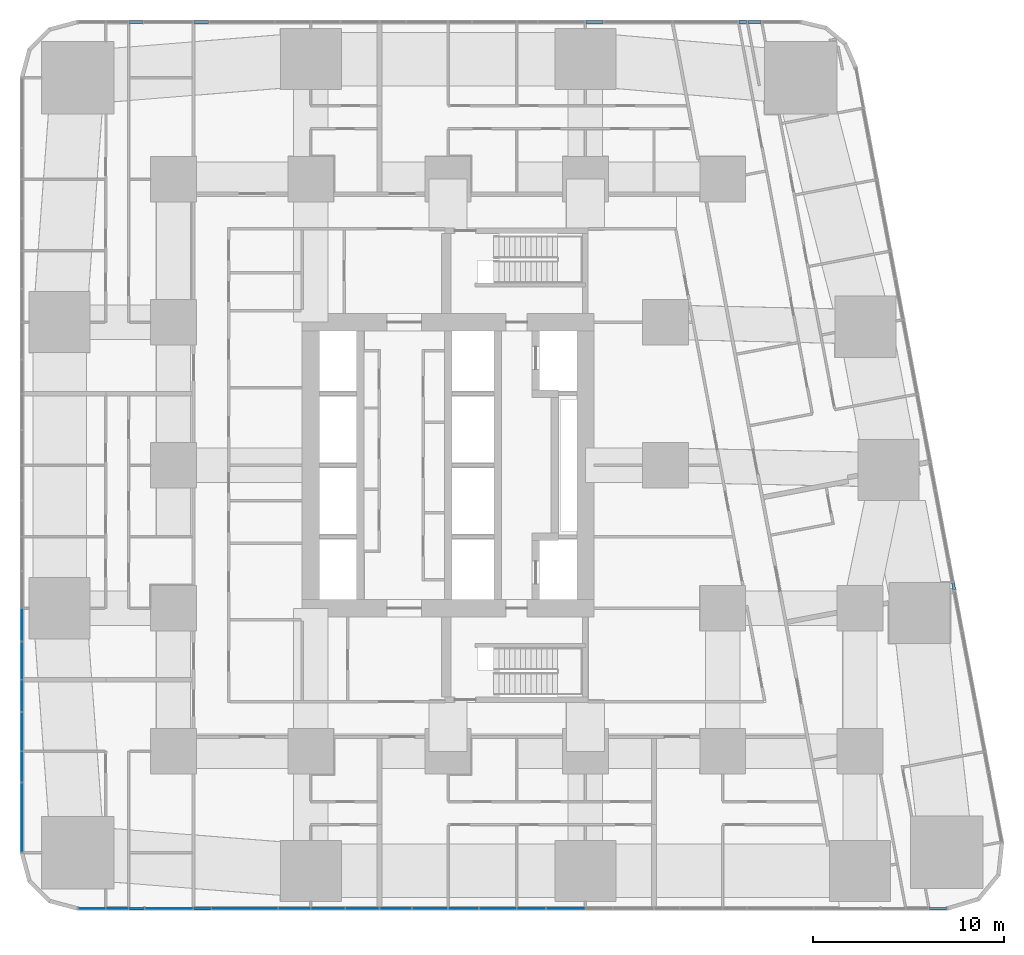
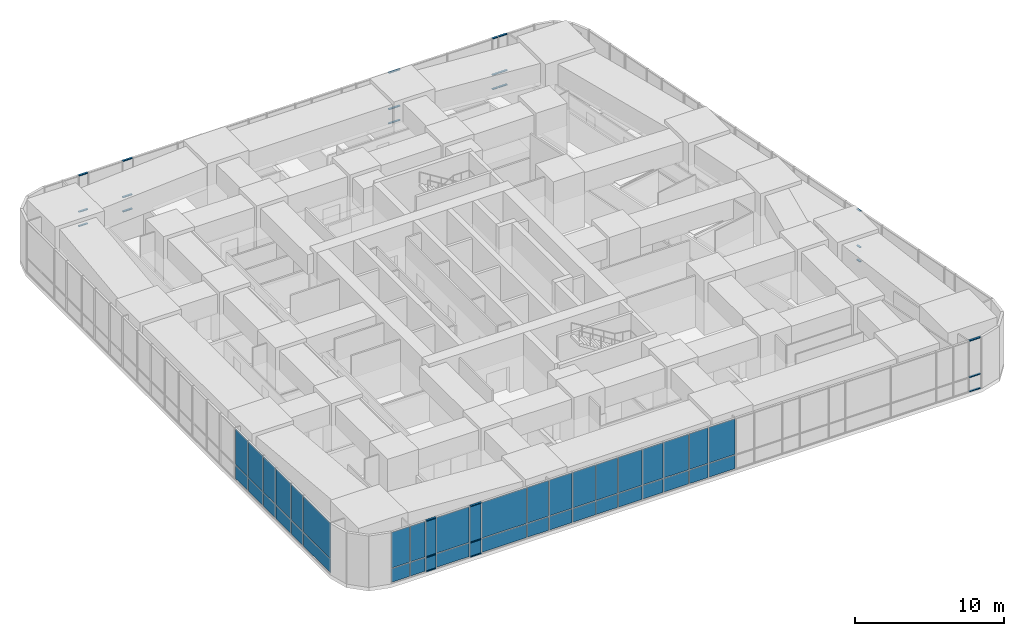
# One storey, part 9 of 23: 42 plates, 27 members, 4 elements without a shape of their own.
"""IFC4 building model written with IfcOpenShell, lengths in metres."""

from ifc_helpers import new_model, si_unit, direction, frame, origin, origin_2d, place, context, subcontext, project, spatial, rectangle, extrude, material, layer, layer_set, material_profile, profile_set, type_object, element, aggregate, save


model = new_model("IFC4")

# Units and contexts
model_context = context("Model", 3, precision=1e-05, world=origin(), true_north=direction((0.0, 1.0)))
body_context = subcontext(model_context, "Body", "Model", "MODEL_VIEW")
ifc_project = project(units=[si_unit("LENGTHUNIT", "METRE"), si_unit("AREAUNIT", "SQUARE_METRE"), si_unit("VOLUMEUNIT", "CUBIC_METRE"), si_unit("PLANEANGLEUNIT", "RADIAN"), si_unit("MASSUNIT", "GRAM", prefix="KILO")], contexts=[model_context])

# Site, building, storey
site_placement = place(None, origin())
site = spatial("IfcSite", under=ifc_project, at=site_placement, CompositionType="ELEMENT")
building_placement = place(site_placement, origin())
building = spatial("IfcBuilding", under=site, at=building_placement, Name="Sheger Commons Tower", CompositionType="ELEMENT")
storey_placement = place(building_placement, frame((0.0, 0.0, 5.60009765625)))
storey = spatial("IfcBuildingStorey", under=building, at=storey_placement, Name="L01", CompositionType="ELEMENT", Elevation=5.60009765625)

# Curtain wall, members
ifc_material_1 = material(Name="Black aluminium curtain wall, dark tinted glazing", Category="aluminium")
curtain_wall_type = type_object("IfcCurtainWallType", Name="CURTAIN WALL CW2 HEALTH CENTRE", PredefinedType="USERDEFINED", material=ifc_material_1)
curtain_wall_1_placement = place(storey_placement, origin())
curtain_wall_1 = element("IfcCurtainWall", 1, at=curtain_wall_1_placement, inside=storey, type_object=curtain_wall_type, Name="Curtain Wall Cw2 Health Centre S1 L01", ObjectType="STICK CURTAIN WALL", PredefinedType="USERDEFINED")
ifc_material_2 = material(Name="Black anodised aluminium", Category="aluminium")
ifc_material_profile = material_profile(ifc_material_2, rectangle(XDim=0.14990234375, YDim=0.06494140625, at=origin_2d()), Name="AL 65x150")
ifc_profile_set = profile_set([ifc_material_profile], Name="Black anodised aluminium")
member_type = type_object("IfcMemberType", Name="TRANSOM AL 65x150", PredefinedType="USERDEFINED", material=ifc_profile_set)
member_1_placement = place(storey_placement, frame((4.882568359375, -0.75, 0.032470703125), z_axis=(1.0, 0.0, 0.0), x_axis=(0.0, 1.0, 0.0)))
member_1 = element("IfcMember", 2, at=member_1_placement, type_object=member_type, Name="CW2 transom 3.1", ObjectType="TRANSOM", PredefinedType="USERDEFINED", context=body_context, shape_type="SweptSolid", body=[
    extrude(rectangle(XDim=0.14990234375, YDim=0.06494140625, at=origin_2d()), origin(), (0.0, 0.0, 1.0), 0.7578125),
])
member_2_placement = place(storey_placement, frame((4.882568359375, -0.75, 1.199951171875), z_axis=(1.0, 0.0, 0.0), x_axis=(0.0, 1.0, 0.0)))
member_2 = element("IfcMember", 3, at=member_2_placement, type_object=member_type, Name="CW2 transom 3.2", ObjectType="TRANSOM", PredefinedType="USERDEFINED", context=body_context, shape_type="SweptSolid", body=[
    extrude(rectangle(XDim=0.14990234375, YDim=0.06494140625, at=origin_2d()), origin(), (0.0, 0.0, 1.0), 0.7578125),
])
member_3_placement = place(storey_placement, frame((4.882568359375, -0.75, 4.16748046875), z_axis=(1.0, 0.0, 0.0), x_axis=(0.0, 1.0, 0.0)))
member_3 = element("IfcMember", 4, at=member_3_placement, type_object=member_type, Name="CW2 transom 3.3", ObjectType="TRANSOM", PredefinedType="USERDEFINED", context=body_context, shape_type="SweptSolid", body=[
    extrude(rectangle(XDim=0.14990234375, YDim=0.06494140625, at=origin_2d()), origin(), (0.0, 0.0, 1.0), 0.7578125),
])
member_4_placement = place(storey_placement, frame((8.282470703125, -0.75, 0.032470703125), z_axis=(1.0, 0.0, 0.0), x_axis=(0.0, 1.0, 0.0)))
member_4 = element("IfcMember", 5, at=member_4_placement, type_object=member_type, Name="CW2 transom 5.1", ObjectType="TRANSOM", PredefinedType="USERDEFINED", context=body_context, shape_type="SweptSolid", body=[
    extrude(rectangle(XDim=0.14990234375, YDim=0.06494140625, at=origin_2d()), origin(), (0.0, 0.0, 1.0), 0.867919921875),
])
member_5_placement = place(storey_placement, frame((8.282470703125, -0.75, 1.199951171875), z_axis=(1.0, 0.0, 0.0), x_axis=(0.0, 1.0, 0.0)))
member_5 = element("IfcMember", 6, at=member_5_placement, type_object=member_type, Name="CW2 transom 5.2", ObjectType="TRANSOM", PredefinedType="USERDEFINED", context=body_context, shape_type="SweptSolid", body=[
    extrude(rectangle(XDim=0.14990234375, YDim=0.06494140625, at=origin_2d()), origin(), (0.0, 0.0, 1.0), 0.867919921875),
])
member_6_placement = place(storey_placement, frame((8.282470703125, -0.75, 4.16748046875), z_axis=(1.0, 0.0, 0.0), x_axis=(0.0, 1.0, 0.0)))
member_6 = element("IfcMember", 7, at=member_6_placement, type_object=member_type, Name="CW2 transom 5.3", ObjectType="TRANSOM", PredefinedType="USERDEFINED", context=body_context, shape_type="SweptSolid", body=[
    extrude(rectangle(XDim=0.14990234375, YDim=0.06494140625, at=origin_2d()), origin(), (0.0, 0.0, 1.0), 0.867919921875),
])
member_7_placement = place(storey_placement, frame((46.859619140625, -0.75, 0.032470703125), z_axis=(1.0, 0.0, 0.0), x_axis=(0.0, 1.0, 0.0)))
member_7 = element("IfcMember", 8, at=member_7_placement, type_object=member_type, Name="CW2 transom 25.1", ObjectType="TRANSOM", PredefinedType="USERDEFINED", context=body_context, shape_type="SweptSolid", body=[
    extrude(rectangle(XDim=0.14990234375, YDim=0.06494140625, at=origin_2d()), origin(), (0.0, 0.0, 1.0), 0.866455078125),
])
member_8_placement = place(storey_placement, frame((46.859619140625, -0.75, 1.199951171875), z_axis=(1.0, 0.0, 0.0), x_axis=(0.0, 1.0, 0.0)))
member_8 = element("IfcMember", 9, at=member_8_placement, type_object=member_type, Name="CW2 transom 25.2", ObjectType="TRANSOM", PredefinedType="USERDEFINED", context=body_context, shape_type="SweptSolid", body=[
    extrude(rectangle(XDim=0.14990234375, YDim=0.06494140625, at=origin_2d()), origin(), (0.0, 0.0, 1.0), 0.866455078125),
])
member_9_placement = place(storey_placement, frame((46.859619140625, -0.75, 4.16748046875), z_axis=(1.0, 0.0, 0.0), x_axis=(0.0, 1.0, 0.0)))
member_9 = element("IfcMember", 10, at=member_9_placement, type_object=member_type, Name="CW2 transom 25.3", ObjectType="TRANSOM", PredefinedType="USERDEFINED", context=body_context, shape_type="SweptSolid", body=[
    extrude(rectangle(XDim=0.14990234375, YDim=0.06494140625, at=origin_2d()), origin(), (0.0, 0.0, 1.0), 0.866455078125),
])

curtain_wall_2_placement = place(storey_placement, origin())
curtain_wall_2 = element("IfcCurtainWall", 11, at=curtain_wall_2_placement, inside=storey, type_object=curtain_wall_type, Name="Curtain Wall Cw2 Health Centre E1 L01", ObjectType="STICK CURTAIN WALL", PredefinedType="USERDEFINED")
member_10_placement = place(storey_placement, frame((48.1474609375, 15.967041015625, 0.032470703125), z_axis=(-0.185599713846, 0.982625435362, 0.0), x_axis=(-0.982625435362, -0.185599713846, 0.0)))
member_10 = element("IfcMember", 12, at=member_10_placement, type_object=member_type, Name="CW2 transom 6.1", ObjectType="TRANSOM", PredefinedType="USERDEFINED", context=body_context, shape_type="SweptSolid", body=[
    extrude(rectangle(XDim=0.14990234375, YDim=0.06494140625, at=origin_2d()), origin(), (0.0, 0.0, 1.0), 0.370849609375),
])
member_11_placement = place(storey_placement, frame((48.1474609375, 15.967041015625, 1.199951171875), z_axis=(-0.185599713846, 0.982625435362, 0.0), x_axis=(-0.982625435362, -0.185599713846, 0.0)))
member_11 = element("IfcMember", 13, at=member_11_placement, type_object=member_type, Name="CW2 transom 6.2", ObjectType="TRANSOM", PredefinedType="USERDEFINED", context=body_context, shape_type="SweptSolid", body=[
    extrude(rectangle(XDim=0.14990234375, YDim=0.06494140625, at=origin_2d()), origin(), (0.0, 0.0, 1.0), 0.370849609375),
])
member_12_placement = place(storey_placement, frame((48.1474609375, 15.967041015625, 4.16748046875), z_axis=(-0.185599713846, 0.982625435362, 0.0), x_axis=(-0.982625435362, -0.185599713846, 0.0)))
member_12 = element("IfcMember", 14, at=member_12_placement, type_object=member_type, Name="CW2 transom 6.3", ObjectType="TRANSOM", PredefinedType="USERDEFINED", context=body_context, shape_type="SweptSolid", body=[
    extrude(rectangle(XDim=0.14990234375, YDim=0.06494140625, at=origin_2d()), origin(), (0.0, 0.0, 1.0), 0.370849609375),
])
aggregate(curtain_wall_2, [member_10, member_11, member_12])

curtain_wall_3_placement = place(storey_placement, origin())
curtain_wall_3 = element("IfcCurtainWall", 15, at=curtain_wall_3_placement, inside=storey, type_object=curtain_wall_type, Name="Curtain Wall Cw2 Health Centre N1 L01", ObjectType="STICK CURTAIN WALL", PredefinedType="USERDEFINED")
member_13_placement = place(storey_placement, frame((38.011474609375, 45.75, 0.032470703125), z_axis=(-1.0, 0.0, 0.0), x_axis=(0.0, -1.0, 0.0)))
member_13 = element("IfcMember", 16, at=member_13_placement, type_object=member_type, Name="CW2 transom 2.1", ObjectType="TRANSOM", PredefinedType="USERDEFINED", context=body_context, shape_type="SweptSolid", body=[
    extrude(rectangle(XDim=0.14990234375, YDim=0.06494140625, at=origin_2d()), origin(), (0.0, 0.0, 1.0), 0.68701171875),
])
member_14_placement = place(storey_placement, frame((38.011474609375, 45.75, 1.199951171875), z_axis=(-1.0, 0.0, 0.0), x_axis=(0.0, -1.0, 0.0)))
member_14 = element("IfcMember", 17, at=member_14_placement, type_object=member_type, Name="CW2 transom 2.2", ObjectType="TRANSOM", PredefinedType="USERDEFINED", context=body_context, shape_type="SweptSolid", body=[
    extrude(rectangle(XDim=0.14990234375, YDim=0.06494140625, at=origin_2d()), origin(), (0.0, 0.0, 1.0), 0.68701171875),
])
member_15_placement = place(storey_placement, frame((38.011474609375, 45.75, 4.16748046875), z_axis=(-1.0, 0.0, 0.0), x_axis=(0.0, -1.0, 0.0)))
member_15 = element("IfcMember", 18, at=member_15_placement, type_object=member_type, Name="CW2 transom 2.3", ObjectType="TRANSOM", PredefinedType="USERDEFINED", context=body_context, shape_type="SweptSolid", body=[
    extrude(rectangle(XDim=0.14990234375, YDim=0.06494140625, at=origin_2d()), origin(), (0.0, 0.0, 1.0), 0.68701171875),
])
member_16_placement = place(storey_placement, frame((37.259521484375, 45.75, 0.032470703125), z_axis=(-1.0, 0.0, 0.0), x_axis=(0.0, -1.0, 0.0)))
member_16 = element("IfcMember", 19, at=member_16_placement, type_object=member_type, Name="CW2 transom 3.1", ObjectType="TRANSOM", PredefinedType="USERDEFINED", context=body_context, shape_type="SweptSolid", body=[
    extrude(rectangle(XDim=0.14990234375, YDim=0.06494140625, at=origin_2d()), origin(), (0.0, 0.0, 1.0), 0.404052734375),
])
member_17_placement = place(storey_placement, frame((37.259521484375, 45.75, 1.199951171875), z_axis=(-1.0, 0.0, 0.0), x_axis=(0.0, -1.0, 0.0)))
member_17 = element("IfcMember", 20, at=member_17_placement, type_object=member_type, Name="CW2 transom 3.2", ObjectType="TRANSOM", PredefinedType="USERDEFINED", context=body_context, shape_type="SweptSolid", body=[
    extrude(rectangle(XDim=0.14990234375, YDim=0.06494140625, at=origin_2d()), origin(), (0.0, 0.0, 1.0), 0.404052734375),
])
member_18_placement = place(storey_placement, frame((37.259521484375, 45.75, 4.16748046875), z_axis=(-1.0, 0.0, 0.0), x_axis=(0.0, -1.0, 0.0)))
member_18 = element("IfcMember", 21, at=member_18_placement, type_object=member_type, Name="CW2 transom 3.3", ObjectType="TRANSOM", PredefinedType="USERDEFINED", context=body_context, shape_type="SweptSolid", body=[
    extrude(rectangle(XDim=0.14990234375, YDim=0.06494140625, at=origin_2d()), origin(), (0.0, 0.0, 1.0), 0.404052734375),
])
member_19_placement = place(storey_placement, frame((29.7255859375, 45.75, 0.032470703125), z_axis=(-1.0, 0.0, 0.0), x_axis=(0.0, -1.0, 0.0)))
member_19 = element("IfcMember", 22, at=member_19_placement, type_object=member_type, Name="CW2 transom 6.1", ObjectType="TRANSOM", PredefinedType="USERDEFINED", context=body_context, shape_type="SweptSolid", body=[
    extrude(rectangle(XDim=0.14990234375, YDim=0.06494140625, at=origin_2d()), origin(), (0.0, 0.0, 1.0), 0.89306640625),
])
member_20_placement = place(storey_placement, frame((29.7255859375, 45.75, 1.199951171875), z_axis=(-1.0, 0.0, 0.0), x_axis=(0.0, -1.0, 0.0)))
member_20 = element("IfcMember", 23, at=member_20_placement, type_object=member_type, Name="CW2 transom 6.2", ObjectType="TRANSOM", PredefinedType="USERDEFINED", context=body_context, shape_type="SweptSolid", body=[
    extrude(rectangle(XDim=0.14990234375, YDim=0.06494140625, at=origin_2d()), origin(), (0.0, 0.0, 1.0), 0.89306640625),
])
member_21_placement = place(storey_placement, frame((29.7255859375, 45.75, 4.16748046875), z_axis=(-1.0, 0.0, 0.0), x_axis=(0.0, -1.0, 0.0)))
member_21 = element("IfcMember", 24, at=member_21_placement, type_object=member_type, Name="CW2 transom 6.3", ObjectType="TRANSOM", PredefinedType="USERDEFINED", context=body_context, shape_type="SweptSolid", body=[
    extrude(rectangle(XDim=0.14990234375, YDim=0.06494140625, at=origin_2d()), origin(), (0.0, 0.0, 1.0), 0.89306640625),
])
member_22_placement = place(storey_placement, frame((9.029541015625, 45.75, 0.032470703125), z_axis=(-1.0, 0.0, 0.0), x_axis=(0.0, -1.0, 0.0)))
member_22 = element("IfcMember", 25, at=member_22_placement, type_object=member_type, Name="CW2 transom 17.1", ObjectType="TRANSOM", PredefinedType="USERDEFINED", context=body_context, shape_type="SweptSolid", body=[
    extrude(rectangle(XDim=0.14990234375, YDim=0.06494140625, at=origin_2d()), origin(), (0.0, 0.0, 1.0), 0.7470703125),
])
member_23_placement = place(storey_placement, frame((9.029541015625, 45.75, 1.199951171875), z_axis=(-1.0, 0.0, 0.0), x_axis=(0.0, -1.0, 0.0)))
member_23 = element("IfcMember", 26, at=member_23_placement, type_object=member_type, Name="CW2 transom 17.2", ObjectType="TRANSOM", PredefinedType="USERDEFINED", context=body_context, shape_type="SweptSolid", body=[
    extrude(rectangle(XDim=0.14990234375, YDim=0.06494140625, at=origin_2d()), origin(), (0.0, 0.0, 1.0), 0.7470703125),
])
member_24_placement = place(storey_placement, frame((9.029541015625, 45.75, 4.16748046875), z_axis=(-1.0, 0.0, 0.0), x_axis=(0.0, -1.0, 0.0)))
member_24 = element("IfcMember", 27, at=member_24_placement, type_object=member_type, Name="CW2 transom 17.3", ObjectType="TRANSOM", PredefinedType="USERDEFINED", context=body_context, shape_type="SweptSolid", body=[
    extrude(rectangle(XDim=0.14990234375, YDim=0.06494140625, at=origin_2d()), origin(), (0.0, 0.0, 1.0), 0.7470703125),
])
member_25_placement = place(storey_placement, frame((5.57958984375, 45.75, 0.032470703125), z_axis=(-1.0, 0.0, 0.0), x_axis=(0.0, -1.0, 0.0)))
member_25 = element("IfcMember", 28, at=member_25_placement, type_object=member_type, Name="CW2 transom 19.1", ObjectType="TRANSOM", PredefinedType="USERDEFINED", context=body_context, shape_type="SweptSolid", body=[
    extrude(rectangle(XDim=0.14990234375, YDim=0.06494140625, at=origin_2d()), origin(), (0.0, 0.0, 1.0), 0.697021484375),
])
member_26_placement = place(storey_placement, frame((5.57958984375, 45.75, 1.199951171875), z_axis=(-1.0, 0.0, 0.0), x_axis=(0.0, -1.0, 0.0)))
member_26 = element("IfcMember", 29, at=member_26_placement, type_object=member_type, Name="CW2 transom 19.2", ObjectType="TRANSOM", PredefinedType="USERDEFINED", context=body_context, shape_type="SweptSolid", body=[
    extrude(rectangle(XDim=0.14990234375, YDim=0.06494140625, at=origin_2d()), origin(), (0.0, 0.0, 1.0), 0.697021484375),
])
member_27_placement = place(storey_placement, frame((5.57958984375, 45.75, 4.16748046875), z_axis=(-1.0, 0.0, 0.0), x_axis=(0.0, -1.0, 0.0)))
member_27 = element("IfcMember", 30, at=member_27_placement, type_object=member_type, Name="CW2 transom 19.3", ObjectType="TRANSOM", PredefinedType="USERDEFINED", context=body_context, shape_type="SweptSolid", body=[
    extrude(rectangle(XDim=0.14990234375, YDim=0.06494140625, at=origin_2d()), origin(), (0.0, 0.0, 1.0), 0.697021484375),
])
aggregate(curtain_wall_3, [member_13, member_14, member_15, member_16, member_17, member_18, member_19, member_20, member_21, member_22, member_23, member_24, member_25, member_26, member_27])

# Plate
ifc_material_3 = material(Name="Dark tinted double glazing", Category="glass")
ifc_layer = layer(ifc_material_3, 0.031982421875)
ifc_layer_set = layer_set([ifc_layer], Name="GLAZED PANEL 32")
plate_type = type_object("IfcPlateType", Name="GLAZED PANEL 32", PredefinedType="CURTAIN_PANEL", material=ifc_layer_set)
plate_1_placement = place(storey_placement, frame((2.9228515625, -0.75, 0.06494140625), z_axis=(0.0, 0.0, 1.0), x_axis=(1.0, 0.0, 0.0)))
plate_1 = element("IfcPlate", 31, at=plate_1_placement, type_object=plate_type, Name="CW2 panel 1.1", PredefinedType="CURTAIN_PANEL", context=body_context, shape_type="SweptSolid", body=[
    extrude(rectangle(XDim=1.389404296875, YDim=0.031982421875, at=origin_2d()), origin(), (0.0, 0.0, 1.0), 1.1025390625),
])

plate_2_placement = place(storey_placement, frame((2.9228515625, -0.75, 1.232421875), z_axis=(0.0, 0.0, 1.0), x_axis=(1.0, 0.0, 0.0)))
plate_2 = element("IfcPlate", 32, at=plate_2_placement, type_object=plate_type, Name="CW2 panel 1.2", PredefinedType="CURTAIN_PANEL", context=body_context, shape_type="SweptSolid", body=[
    extrude(rectangle(XDim=1.389404296875, YDim=0.031982421875, at=origin_2d()), origin(), (0.0, 0.0, 1.0), 2.902587890625),
])

plate_3_placement = place(storey_placement, frame((4.25, -0.75, 0.06494140625), z_axis=(0.0, 0.0, 1.0), x_axis=(1.0, 0.0, 0.0)))
plate_3 = element("IfcPlate", 33, at=plate_3_placement, type_object=plate_type, Name="CW2 panel 2.1", PredefinedType="CURTAIN_PANEL", context=body_context, shape_type="SweptSolid", body=[
    extrude(rectangle(XDim=1.135009765625, YDim=0.031982421875, at=origin_2d()), origin(), (0.0, 0.0, 1.0), 1.1025390625),
])

plate_4_placement = place(storey_placement, frame((4.25, -0.75, 1.232421875), z_axis=(0.0, 0.0, 1.0), x_axis=(1.0, 0.0, 0.0)))
plate_4 = element("IfcPlate", 34, at=plate_4_placement, type_object=plate_type, Name="CW2 panel 2.2", PredefinedType="CURTAIN_PANEL", context=body_context, shape_type="SweptSolid", body=[
    extrude(rectangle(XDim=1.135009765625, YDim=0.031982421875, at=origin_2d()), origin(), (0.0, 0.0, 1.0), 2.902587890625),
])

plate_5_placement = place(storey_placement, frame((5.261474609375, -0.75, 0.06494140625), z_axis=(0.0, 0.0, 1.0), x_axis=(1.0, 0.0, 0.0)))
plate_5 = element("IfcPlate", 35, at=plate_5_placement, type_object=plate_type, Name="CW2 panel 3.1", PredefinedType="CURTAIN_PANEL", context=body_context, shape_type="SweptSolid", body=[
    extrude(rectangle(XDim=0.758056640625, YDim=0.031982421875, at=origin_2d()), origin(), (0.0, 0.0, 1.0), 1.1025390625),
])

plate_6_placement = place(storey_placement, frame((5.261474609375, -0.75, 1.232421875), z_axis=(0.0, 0.0, 1.0), x_axis=(1.0, 0.0, 0.0)))
plate_6 = element("IfcPlate", 36, at=plate_6_placement, type_object=plate_type, Name="CW2 panel 3.2", PredefinedType="CURTAIN_PANEL", context=body_context, shape_type="SweptSolid", body=[
    extrude(rectangle(XDim=0.758056640625, YDim=0.031982421875, at=origin_2d()), origin(), (0.0, 0.0, 1.0), 2.902587890625),
])

plate_7_placement = place(storey_placement, frame((6.96142578125, -0.75, 0.06494140625), z_axis=(0.0, 0.0, 1.0), x_axis=(1.0, 0.0, 0.0)))
plate_7 = element("IfcPlate", 37, at=plate_7_placement, type_object=plate_type, Name="CW2 panel 4.1", PredefinedType="CURTAIN_PANEL", context=body_context, shape_type="SweptSolid", body=[
    extrude(rectangle(XDim=2.511962890625, YDim=0.031982421875, at=origin_2d()), origin(), (0.0, 0.0, 1.0), 1.1025390625),
])

plate_8_placement = place(storey_placement, frame((6.96142578125, -0.75, 1.232421875), z_axis=(0.0, 0.0, 1.0), x_axis=(1.0, 0.0, 0.0)))
plate_8 = element("IfcPlate", 38, at=plate_8_placement, type_object=plate_type, Name="CW2 panel 4.2", PredefinedType="CURTAIN_PANEL", context=body_context, shape_type="SweptSolid", body=[
    extrude(rectangle(XDim=2.511962890625, YDim=0.031982421875, at=origin_2d()), origin(), (0.0, 0.0, 1.0), 2.902587890625),
])

plate_9_placement = place(storey_placement, frame((8.716552734375, -0.75, 0.06494140625), z_axis=(0.0, 0.0, 1.0), x_axis=(1.0, 0.0, 0.0)))
plate_9 = element("IfcPlate", 39, at=plate_9_placement, type_object=plate_type, Name="CW2 panel 5.1", PredefinedType="CURTAIN_PANEL", context=body_context, shape_type="SweptSolid", body=[
    extrude(rectangle(XDim=0.867919921875, YDim=0.031982421875, at=origin_2d()), origin(), (0.0, 0.0, 1.0), 1.1025390625),
])

plate_10_placement = place(storey_placement, frame((8.716552734375, -0.75, 1.232421875), z_axis=(0.0, 0.0, 1.0), x_axis=(1.0, 0.0, 0.0)))
plate_10 = element("IfcPlate", 40, at=plate_10_placement, type_object=plate_type, Name="CW2 panel 5.2", PredefinedType="CURTAIN_PANEL", context=body_context, shape_type="SweptSolid", body=[
    extrude(rectangle(XDim=0.867919921875, YDim=0.031982421875, at=origin_2d()), origin(), (0.0, 0.0, 1.0), 2.902587890625),
])

plate_11_placement = place(storey_placement, frame((10.93798828125, -0.75, 0.06494140625), z_axis=(0.0, 0.0, 1.0), x_axis=(1.0, 0.0, 0.0)))
plate_11 = element("IfcPlate", 41, at=plate_11_placement, type_object=plate_type, Name="CW2 panel 6.1", PredefinedType="CURTAIN_PANEL", context=body_context, shape_type="SweptSolid", body=[
    extrude(rectangle(XDim=3.445068359375, YDim=0.031982421875, at=origin_2d()), origin(), (0.0, 0.0, 1.0), 1.1025390625),
])

plate_12_placement = place(storey_placement, frame((10.93798828125, -0.75, 1.232421875), z_axis=(0.0, 0.0, 1.0), x_axis=(1.0, 0.0, 0.0)))
plate_12 = element("IfcPlate", 42, at=plate_12_placement, type_object=plate_type, Name="CW2 panel 6.2", PredefinedType="CURTAIN_PANEL", context=body_context, shape_type="SweptSolid", body=[
    extrude(rectangle(XDim=3.445068359375, YDim=0.031982421875, at=origin_2d()), origin(), (0.0, 0.0, 1.0), 2.902587890625),
])

plate_13_placement = place(storey_placement, frame((13.54638671875, -0.75, 0.06494140625), z_axis=(0.0, 0.0, 1.0), x_axis=(1.0, 0.0, 0.0)))
plate_13 = element("IfcPlate", 43, at=plate_13_placement, type_object=plate_type, Name="CW2 panel 7.1", PredefinedType="CURTAIN_PANEL", context=body_context, shape_type="SweptSolid", body=[
    extrude(rectangle(XDim=1.64208984375, YDim=0.031982421875, at=origin_2d()), origin(), (0.0, 0.0, 1.0), 1.1025390625),
])

plate_14_placement = place(storey_placement, frame((13.54638671875, -0.75, 1.232421875), z_axis=(0.0, 0.0, 1.0), x_axis=(1.0, 0.0, 0.0)))
plate_14 = element("IfcPlate", 44, at=plate_14_placement, type_object=plate_type, Name="CW2 panel 7.2", PredefinedType="CURTAIN_PANEL", context=body_context, shape_type="SweptSolid", body=[
    extrude(rectangle(XDim=1.64208984375, YDim=0.031982421875, at=origin_2d()), origin(), (0.0, 0.0, 1.0), 2.902587890625),
])

plate_15_placement = place(storey_placement, frame((15.301025390625, -0.75, 0.06494140625), z_axis=(0.0, 0.0, 1.0), x_axis=(1.0, 0.0, 0.0)))
plate_15 = element("IfcPlate", 45, at=plate_15_placement, type_object=plate_type, Name="CW2 panel 8.1", PredefinedType="CURTAIN_PANEL", context=body_context, shape_type="SweptSolid", body=[
    extrude(rectangle(XDim=1.737060546875, YDim=0.031982421875, at=origin_2d()), origin(), (0.0, 0.0, 1.0), 1.1025390625),
])

plate_16_placement = place(storey_placement, frame((15.301025390625, -0.75, 1.232421875), z_axis=(0.0, 0.0, 1.0), x_axis=(1.0, 0.0, 0.0)))
plate_16 = element("IfcPlate", 46, at=plate_16_placement, type_object=plate_type, Name="CW2 panel 8.2", PredefinedType="CURTAIN_PANEL", context=body_context, shape_type="SweptSolid", body=[
    extrude(rectangle(XDim=1.737060546875, YDim=0.031982421875, at=origin_2d()), origin(), (0.0, 0.0, 1.0), 2.902587890625),
])

plate_17_placement = place(storey_placement, frame((17.10107421875, -0.75, 0.06494140625), z_axis=(0.0, 0.0, 1.0), x_axis=(1.0, 0.0, 0.0)))
plate_17 = element("IfcPlate", 47, at=plate_17_placement, type_object=plate_type, Name="CW2 panel 9.1", PredefinedType="CURTAIN_PANEL", context=body_context, shape_type="SweptSolid", body=[
    extrude(rectangle(XDim=1.73291015625, YDim=0.031982421875, at=origin_2d()), origin(), (0.0, 0.0, 1.0), 1.1025390625),
])

plate_18_placement = place(storey_placement, frame((17.10107421875, -0.75, 1.232421875), z_axis=(0.0, 0.0, 1.0), x_axis=(1.0, 0.0, 0.0)))
plate_18 = element("IfcPlate", 48, at=plate_18_placement, type_object=plate_type, Name="CW2 panel 9.2", PredefinedType="CURTAIN_PANEL", context=body_context, shape_type="SweptSolid", body=[
    extrude(rectangle(XDim=1.73291015625, YDim=0.031982421875, at=origin_2d()), origin(), (0.0, 0.0, 1.0), 2.902587890625),
])

plate_19_placement = place(storey_placement, frame((18.85595703125, -0.75, 0.06494140625), z_axis=(0.0, 0.0, 1.0), x_axis=(1.0, 0.0, 0.0)))
plate_19 = element("IfcPlate", 49, at=plate_19_placement, type_object=plate_type, Name="CW2 panel 10.1", PredefinedType="CURTAIN_PANEL", context=body_context, shape_type="SweptSolid", body=[
    extrude(rectangle(XDim=1.64697265625, YDim=0.031982421875, at=origin_2d()), origin(), (0.0, 0.0, 1.0), 1.1025390625),
])

plate_20_placement = place(storey_placement, frame((18.85595703125, -0.75, 1.232421875), z_axis=(0.0, 0.0, 1.0), x_axis=(1.0, 0.0, 0.0)))
plate_20 = element("IfcPlate", 50, at=plate_20_placement, type_object=plate_type, Name="CW2 panel 10.2", PredefinedType="CURTAIN_PANEL", context=body_context, shape_type="SweptSolid", body=[
    extrude(rectangle(XDim=1.64697265625, YDim=0.031982421875, at=origin_2d()), origin(), (0.0, 0.0, 1.0), 2.902587890625),
])

plate_21_placement = place(storey_placement, frame((20.656005859375, -0.75, 0.06494140625), z_axis=(0.0, 0.0, 1.0), x_axis=(1.0, 0.0, 0.0)))
plate_21 = element("IfcPlate", 51, at=plate_21_placement, type_object=plate_type, Name="CW2 panel 11.1", PredefinedType="CURTAIN_PANEL", context=body_context, shape_type="SweptSolid", body=[
    extrude(rectangle(XDim=1.822998046875, YDim=0.031982421875, at=origin_2d()), origin(), (0.0, 0.0, 1.0), 1.1025390625),
])

plate_22_placement = place(storey_placement, frame((20.656005859375, -0.75, 1.232421875), z_axis=(0.0, 0.0, 1.0), x_axis=(1.0, 0.0, 0.0)))
plate_22 = element("IfcPlate", 52, at=plate_22_placement, type_object=plate_type, Name="CW2 panel 11.2", PredefinedType="CURTAIN_PANEL", context=body_context, shape_type="SweptSolid", body=[
    extrude(rectangle(XDim=1.822998046875, YDim=0.031982421875, at=origin_2d()), origin(), (0.0, 0.0, 1.0), 2.902587890625),
])

plate_23_placement = place(storey_placement, frame((22.410888671875, -0.75, 0.06494140625), z_axis=(0.0, 0.0, 1.0), x_axis=(1.0, 0.0, 0.0)))
plate_23 = element("IfcPlate", 53, at=plate_23_placement, type_object=plate_type, Name="CW2 panel 12.1", PredefinedType="CURTAIN_PANEL", context=body_context, shape_type="SweptSolid", body=[
    extrude(rectangle(XDim=1.556884765625, YDim=0.031982421875, at=origin_2d()), origin(), (0.0, 0.0, 1.0), 1.1025390625),
])

plate_24_placement = place(storey_placement, frame((22.410888671875, -0.75, 1.232421875), z_axis=(0.0, 0.0, 1.0), x_axis=(1.0, 0.0, 0.0)))
plate_24 = element("IfcPlate", 54, at=plate_24_placement, type_object=plate_type, Name="CW2 panel 12.2", PredefinedType="CURTAIN_PANEL", context=body_context, shape_type="SweptSolid", body=[
    extrude(rectangle(XDim=1.556884765625, YDim=0.031982421875, at=origin_2d()), origin(), (0.0, 0.0, 1.0), 2.902587890625),
])

plate_25_placement = place(storey_placement, frame((24.2109375, -0.75, 0.06494140625), z_axis=(0.0, 0.0, 1.0), x_axis=(1.0, 0.0, 0.0)))
plate_25 = element("IfcPlate", 55, at=plate_25_placement, type_object=plate_type, Name="CW2 panel 13.1", PredefinedType="CURTAIN_PANEL", context=body_context, shape_type="SweptSolid", body=[
    extrude(rectangle(XDim=1.9130859375, YDim=0.031982421875, at=origin_2d()), origin(), (0.0, 0.0, 1.0), 1.1025390625),
])

plate_26_placement = place(storey_placement, frame((24.2109375, -0.75, 1.232421875), z_axis=(0.0, 0.0, 1.0), x_axis=(1.0, 0.0, 0.0)))
plate_26 = element("IfcPlate", 56, at=plate_26_placement, type_object=plate_type, Name="CW2 panel 13.2", PredefinedType="CURTAIN_PANEL", context=body_context, shape_type="SweptSolid", body=[
    extrude(rectangle(XDim=1.9130859375, YDim=0.031982421875, at=origin_2d()), origin(), (0.0, 0.0, 1.0), 2.902587890625),
])

plate_27_placement = place(storey_placement, frame((25.966064453125, -0.75, 0.06494140625), z_axis=(0.0, 0.0, 1.0), x_axis=(1.0, 0.0, 0.0)))
plate_27 = element("IfcPlate", 57, at=plate_27_placement, type_object=plate_type, Name="CW2 panel 14.1", PredefinedType="CURTAIN_PANEL", context=body_context, shape_type="SweptSolid", body=[
    extrude(rectangle(XDim=1.467041015625, YDim=0.031982421875, at=origin_2d()), origin(), (0.0, 0.0, 1.0), 1.1025390625),
])

plate_28_placement = place(storey_placement, frame((25.966064453125, -0.75, 1.232421875), z_axis=(0.0, 0.0, 1.0), x_axis=(1.0, 0.0, 0.0)))
plate_28 = element("IfcPlate", 58, at=plate_28_placement, type_object=plate_type, Name="CW2 panel 14.2", PredefinedType="CURTAIN_PANEL", context=body_context, shape_type="SweptSolid", body=[
    extrude(rectangle(XDim=1.467041015625, YDim=0.031982421875, at=origin_2d()), origin(), (0.0, 0.0, 1.0), 2.902587890625),
])

plate_29_placement = place(storey_placement, frame((27.76611328125, -0.75, 0.06494140625), z_axis=(0.0, 0.0, 1.0), x_axis=(1.0, 0.0, 0.0)))
plate_29 = element("IfcPlate", 59, at=plate_29_placement, type_object=plate_type, Name="CW2 panel 15.1", PredefinedType="CURTAIN_PANEL", context=body_context, shape_type="SweptSolid", body=[
    extrude(rectangle(XDim=2.0029296875, YDim=0.031982421875, at=origin_2d()), origin(), (0.0, 0.0, 1.0), 1.1025390625),
])

plate_30_placement = place(storey_placement, frame((27.76611328125, -0.75, 1.232421875), z_axis=(0.0, 0.0, 1.0), x_axis=(1.0, 0.0, 0.0)))
plate_30 = element("IfcPlate", 60, at=plate_30_placement, type_object=plate_type, Name="CW2 panel 15.2", PredefinedType="CURTAIN_PANEL", context=body_context, shape_type="SweptSolid", body=[
    extrude(rectangle(XDim=2.0029296875, YDim=0.031982421875, at=origin_2d()), origin(), (0.0, 0.0, 1.0), 2.902587890625),
])

aggregate(curtain_wall_1, [plate_1, plate_2, plate_3, plate_4, member_1, member_2, member_3, plate_5, plate_6, plate_7, plate_8, member_4, member_5, member_6, plate_9, plate_10, plate_11, plate_12, plate_13, plate_14, plate_15, plate_16, plate_17, plate_18, plate_19, plate_20, plate_21, plate_22, plate_23, plate_24, plate_25, plate_26, plate_27, plate_28, plate_29, plate_30, member_7, member_8, member_9])

# Curtain wall, plates
curtain_wall_4_placement = place(storey_placement, origin())
curtain_wall_4 = element("IfcCurtainWall", 61, at=curtain_wall_4_placement, inside=storey, type_object=curtain_wall_type, Name="Curtain Wall Cw2 Health Centre W1 L01", ObjectType="STICK CURTAIN WALL", PredefinedType="USERDEFINED")
plate_31_placement = place(storey_placement, frame((-0.75, 14.1279296875, 0.06494140625), z_axis=(0.0, 0.0, 1.0), x_axis=(0.0, -1.0, 0.0)))
plate_31 = element("IfcPlate", 62, at=plate_31_placement, type_object=plate_type, Name="CW2 panel 15.1", PredefinedType="CURTAIN_PANEL", context=body_context, shape_type="SweptSolid", body=[
    extrude(rectangle(XDim=1.678955078125, YDim=0.031982421875, at=origin_2d()), origin(), (0.0, 0.0, 1.0), 1.1025390625),
])
plate_32_placement = place(storey_placement, frame((-0.75, 14.1279296875, 1.232421875), z_axis=(0.0, 0.0, 1.0), x_axis=(0.0, -1.0, 0.0)))
plate_32 = element("IfcPlate", 63, at=plate_32_placement, type_object=plate_type, Name="CW2 panel 15.2", PredefinedType="CURTAIN_PANEL", context=body_context, shape_type="SweptSolid", body=[
    extrude(rectangle(XDim=1.678955078125, YDim=0.031982421875, at=origin_2d()), origin(), (0.0, 0.0, 1.0), 2.902587890625),
])
plate_33_placement = place(storey_placement, frame((-0.75, 12.2529296875, 0.06494140625), z_axis=(0.0, 0.0, 1.0), x_axis=(0.0, -1.0, 0.0)))
plate_33 = element("IfcPlate", 64, at=plate_33_placement, type_object=plate_type, Name="CW2 panel 16.1", PredefinedType="CURTAIN_PANEL", context=body_context, shape_type="SweptSolid", body=[
    extrude(rectangle(XDim=1.94091796875, YDim=0.031982421875, at=origin_2d()), origin(), (0.0, 0.0, 1.0), 1.1025390625),
])
plate_34_placement = place(storey_placement, frame((-0.75, 12.2529296875, 1.232421875), z_axis=(0.0, 0.0, 1.0), x_axis=(0.0, -1.0, 0.0)))
plate_34 = element("IfcPlate", 65, at=plate_34_placement, type_object=plate_type, Name="CW2 panel 16.2", PredefinedType="CURTAIN_PANEL", context=body_context, shape_type="SweptSolid", body=[
    extrude(rectangle(XDim=1.94091796875, YDim=0.031982421875, at=origin_2d()), origin(), (0.0, 0.0, 1.0), 2.902587890625),
])
plate_35_placement = place(storey_placement, frame((-0.75, 10.404052734375, 0.06494140625), z_axis=(0.0, 0.0, 1.0), x_axis=(0.0, -1.0, 0.0)))
plate_35 = element("IfcPlate", 66, at=plate_35_placement, type_object=plate_type, Name="CW2 panel 17.1", PredefinedType="CURTAIN_PANEL", context=body_context, shape_type="SweptSolid", body=[
    extrude(rectangle(XDim=1.626953125, YDim=0.031982421875, at=origin_2d()), origin(), (0.0, 0.0, 1.0), 1.1025390625),
])
plate_36_placement = place(storey_placement, frame((-0.75, 10.404052734375, 1.232421875), z_axis=(0.0, 0.0, 1.0), x_axis=(0.0, -1.0, 0.0)))
plate_36 = element("IfcPlate", 67, at=plate_36_placement, type_object=plate_type, Name="CW2 panel 17.2", PredefinedType="CURTAIN_PANEL", context=body_context, shape_type="SweptSolid", body=[
    extrude(rectangle(XDim=1.626953125, YDim=0.031982421875, at=origin_2d()), origin(), (0.0, 0.0, 1.0), 2.902587890625),
])
plate_37_placement = place(storey_placement, frame((-0.75, 8.529052734375, 0.06494140625), z_axis=(0.0, 0.0, 1.0), x_axis=(0.0, -1.0, 0.0)))
plate_37 = element("IfcPlate", 68, at=plate_37_placement, type_object=plate_type, Name="CW2 panel 18.1", PredefinedType="CURTAIN_PANEL", context=body_context, shape_type="SweptSolid", body=[
    extrude(rectangle(XDim=1.992919921875, YDim=0.031982421875, at=origin_2d()), origin(), (0.0, 0.0, 1.0), 1.1025390625),
])
plate_38_placement = place(storey_placement, frame((-0.75, 8.529052734375, 1.232421875), z_axis=(0.0, 0.0, 1.0), x_axis=(0.0, -1.0, 0.0)))
plate_38 = element("IfcPlate", 69, at=plate_38_placement, type_object=plate_type, Name="CW2 panel 18.2", PredefinedType="CURTAIN_PANEL", context=body_context, shape_type="SweptSolid", body=[
    extrude(rectangle(XDim=1.992919921875, YDim=0.031982421875, at=origin_2d()), origin(), (0.0, 0.0, 1.0), 2.902587890625),
])
plate_39_placement = place(storey_placement, frame((-0.75, 6.680419921875, 0.06494140625), z_axis=(0.0, 0.0, 1.0), x_axis=(0.0, -1.0, 0.0)))
plate_39 = element("IfcPlate", 70, at=plate_39_placement, type_object=plate_type, Name="CW2 panel 19.1", PredefinedType="CURTAIN_PANEL", context=body_context, shape_type="SweptSolid", body=[
    extrude(rectangle(XDim=1.573974609375, YDim=0.031982421875, at=origin_2d()), origin(), (0.0, 0.0, 1.0), 1.1025390625),
])
plate_40_placement = place(storey_placement, frame((-0.75, 6.680419921875, 1.232421875), z_axis=(0.0, 0.0, 1.0), x_axis=(0.0, -1.0, 0.0)))
plate_40 = element("IfcPlate", 71, at=plate_40_placement, type_object=plate_type, Name="CW2 panel 19.2", PredefinedType="CURTAIN_PANEL", context=body_context, shape_type="SweptSolid", body=[
    extrude(rectangle(XDim=1.573974609375, YDim=0.031982421875, at=origin_2d()), origin(), (0.0, 0.0, 1.0), 2.902587890625),
])
plate_41_placement = place(storey_placement, frame((-0.75, 4.0283203125, 0.06494140625), z_axis=(0.0, 0.0, 1.0), x_axis=(0.0, -1.0, 0.0)))
plate_41 = element("IfcPlate", 72, at=plate_41_placement, type_object=plate_type, Name="CW2 panel 20.1", PredefinedType="CURTAIN_PANEL", context=body_context, shape_type="SweptSolid", body=[
    extrude(rectangle(XDim=3.6005859375, YDim=0.031982421875, at=origin_2d()), origin(), (0.0, 0.0, 1.0), 1.1025390625),
])
plate_42_placement = place(storey_placement, frame((-0.75, 4.0283203125, 1.232421875), z_axis=(0.0, 0.0, 1.0), x_axis=(0.0, -1.0, 0.0)))
plate_42 = element("IfcPlate", 73, at=plate_42_placement, type_object=plate_type, Name="CW2 panel 20.2", PredefinedType="CURTAIN_PANEL", context=body_context, shape_type="SweptSolid", body=[
    extrude(rectangle(XDim=3.6005859375, YDim=0.031982421875, at=origin_2d()), origin(), (0.0, 0.0, 1.0), 2.902587890625),
])
aggregate(curtain_wall_4, [plate_31, plate_32, plate_33, plate_34, plate_35, plate_36, plate_37, plate_38, plate_39, plate_40, plate_41, plate_42])

save(model, "model.ifc")
